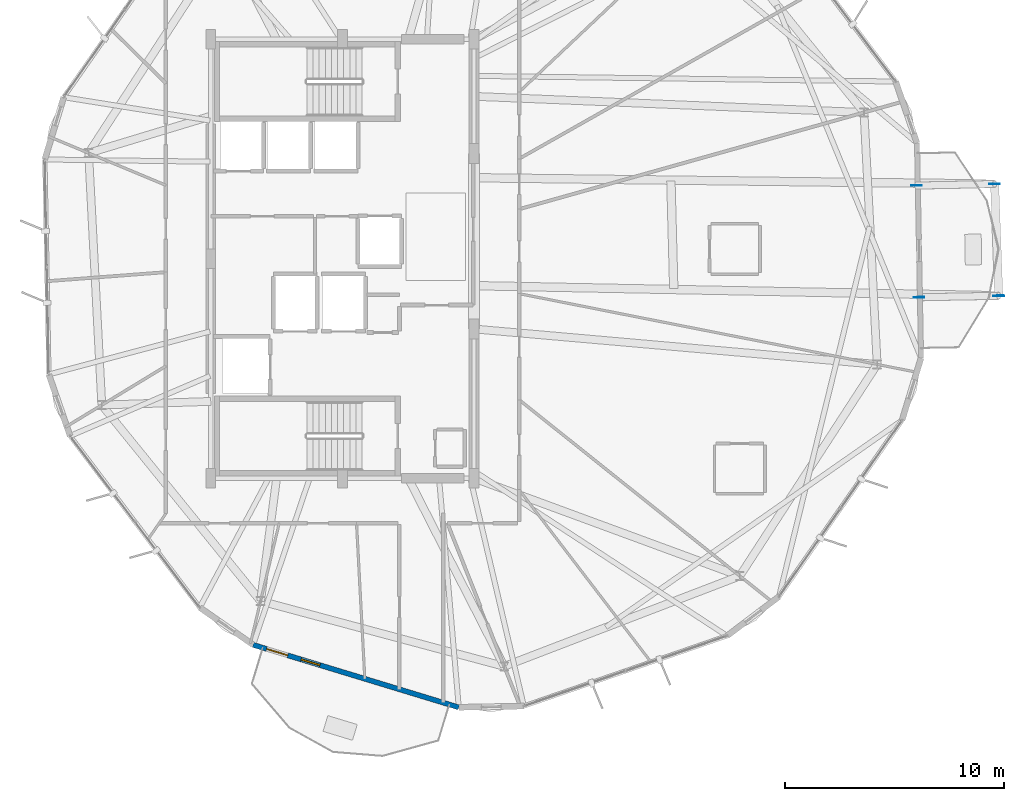
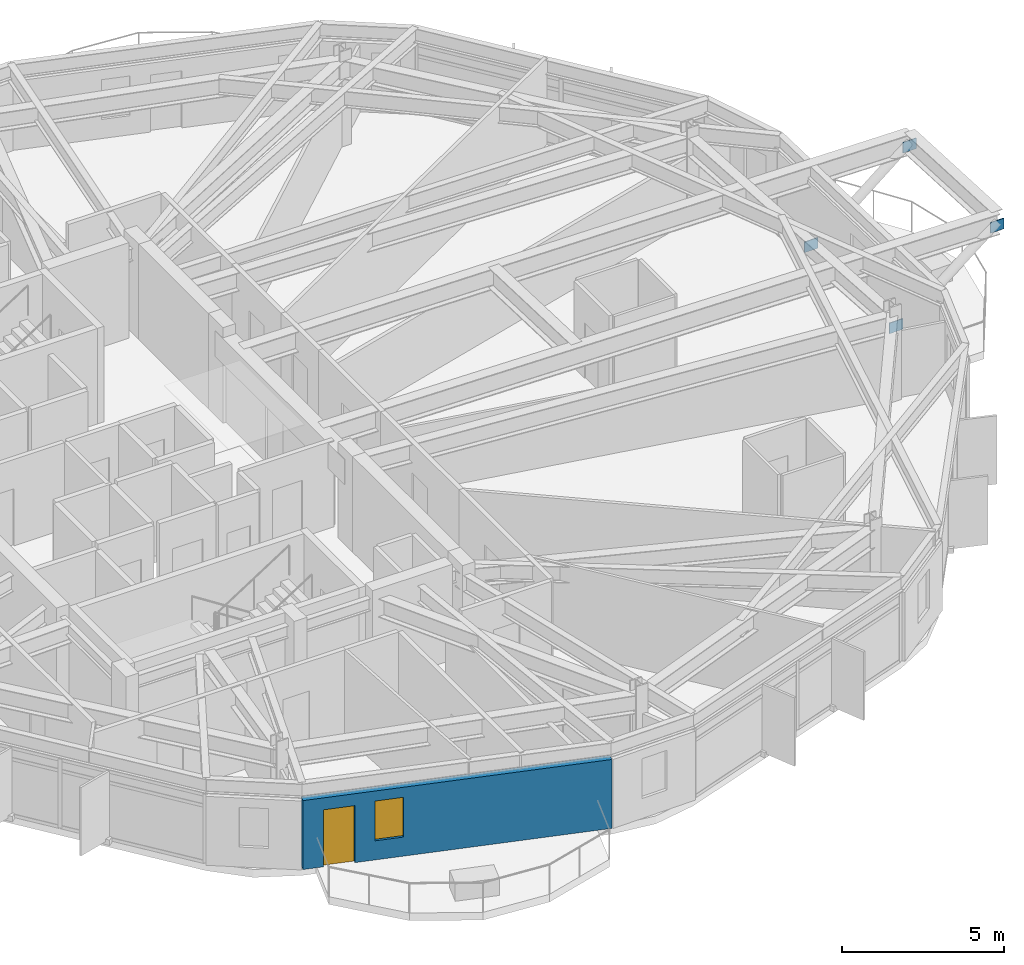
# One storey, part 27 of 34: 4 plates, 1 door, 1 wall, 1 window, 2 openings.
"""IFC4 building model written with IfcOpenShell, lengths in metres."""

from ifc_helpers import new_model, si_unit, direction, frame, frame_2d, origin, origin_2d, place, context, subcontext, project, spatial, rectangle, extrude, material, layer, layer_set, type_object, element, fill, save


model = new_model("IFC4")

# Units and contexts
model_context = context("Model", 3, precision=1e-05, world=origin(), true_north=direction((0.0, 1.0)))
body_context = subcontext(model_context, "Body", "Model", "MODEL_VIEW")
ifc_project = project(units=[si_unit("LENGTHUNIT", "METRE"), si_unit("AREAUNIT", "SQUARE_METRE"), si_unit("VOLUMEUNIT", "CUBIC_METRE"), si_unit("PLANEANGLEUNIT", "RADIAN"), si_unit("MASSUNIT", "GRAM", prefix="KILO")], contexts=[model_context])

# Site, building, storey
site_placement = place(None, origin())
site = spatial("IfcSite", under=ifc_project, at=site_placement, CompositionType="ELEMENT")
building_placement = place(site_placement, origin())
building = spatial("IfcBuilding", under=site, at=building_placement, Name="Soratama Intermodal Tower", CompositionType="ELEMENT")
storey_placement = place(building_placement, frame((0.0, 0.0, 233.800048828125)))
storey = spatial("IfcBuildingStorey", under=building, at=storey_placement, Name="L59", CompositionType="ELEMENT", Elevation=233.800048828125)

# Plates
ifc_material_1 = material(Name="Structural steel ASTM A992 Grade 50", Category="steel")
ifc_layer_1 = layer(ifc_material_1, 0.030029296875)
ifc_layer_set_1 = layer_set([ifc_layer_1], Name="Structural steel ASTM A992 Grade 50")
plate_type = type_object("IfcPlateType", Name="PL-GUSSET-30", PredefinedType="USERDEFINED", material=ifc_layer_set_1)
for number, where, z_axis, x_axis, name in (
    (1, (64.86376953125, 23.243408203125, 0.0), (0.0, 0.0, 1.0), (0.999819047479, 0.019022941347, 0.0), "L59 Sky Pool Strut Foot Gusset 1"),
    (2, (68.504638671875, 23.312744140625, 2.470458984375), (0.0, 0.0, 1.0), (0.999819047479, 0.019022941347, 0.0), "L59 Sky Pool Strut Head Gusset 1"),
    (3, (64.767578125, 28.336181640625, 0.0), (0.0, 0.0, 1.0), (0.999819047479, 0.019022941347, 0.0), "L59 Sky Pool Strut Foot Gusset 2"),
    (4, (68.318115234375, 28.404052734375, 2.470458984375), (0.0, 0.0, 1.0), (0.999819047479, 0.019022941347, 0.0), "L59 Sky Pool Strut Head Gusset 2"),
):
    element("IfcPlate", number, at=place(storey_placement, frame(where, z_axis=z_axis, x_axis=x_axis)), inside=storey, type_object=plate_type, Name=name, ObjectType="GUSSET PLATE", PredefinedType="USERDEFINED", context=body_context, shape_type="SweptSolid", body=[
        extrude(rectangle(XDim=0.47998046875, YDim=0.030029296875, at=origin_2d()), origin(), (0.0, 0.0, 1.0), 0.39990234375),
    ])

# Wall, openings, door, window
ifc_material_2 = material(Name="Concrete f'c 42 MPa", Category="concrete")
ifc_layer_2 = layer(ifc_material_2, 0.22998046875)
ifc_layer_set_2 = layer_set([ifc_layer_2], Name="Concrete f'c 42 MPa")
wall_type = type_object("IfcWallType", Name="EW-BAL-230", PredefinedType="SOLIDWALL", material=ifc_layer_set_2)
wall_placement = place(storey_placement, frame((34.5283203125, 7.4091796875, 0.0), z_axis=(0.0, 0.0, 1.0), x_axis=(0.956709483024, -0.29104461014, 0.0)))
wall = element("IfcWall", 5, at=wall_placement, inside=storey, type_object=wall_type, Name="L59 Terrace Wall F06", PredefinedType="SOLIDWALL", context=body_context, shape_type="SweptSolid", body=[
    extrude(rectangle(XDim=9.797607421875, YDim=0.22998046875, at=frame_2d((4.89892578125, 0.0))), origin(), (0.0, 0.0, 1.0), 2.598876953125),
])
opening_1_placement = place(wall_placement, frame((0.64990234375, 0.0, 0.0)))
opening_1 = element("IfcOpeningElement", 6, at=opening_1_placement, cuts=wall, Name="Opening ED-2", PredefinedType="OPENING", context=body_context, shape_type="SweptSolid", body=[
    extrude(rectangle(XDim=1.0, YDim=2.14990234375, at=frame_2d((0.5, 1.074951171875))), frame((0.0, 0.125, 0.0), z_axis=(0.0, -1.0, 0.0), x_axis=(1.0, 0.0, 0.0)), (0.0, 0.0, 1.0), 0.25),
])
opening_2_placement = place(wall_placement, frame((2.2900390625, 0.0, 0.719970703125)))
opening_2 = element("IfcOpeningElement", 7, at=opening_2_placement, cuts=wall, Name="Opening WN-6", PredefinedType="OPENING", context=body_context, shape_type="SweptSolid", body=[
    extrude(rectangle(XDim=0.89990234375, YDim=1.5, at=frame_2d((0.449951171875, 0.75))), frame((0.0, 0.125, 0.0), z_axis=(0.0, -1.0, 0.0), x_axis=(1.0, 0.0, 0.0)), (0.0, 0.0, 1.0), 0.25),
])
ifc_material_3 = material(Name="Double-glazed aluminium door", Category="aluminium")
door_type = type_object("IfcDoorType", Name="DR-BAL-1000", OperationType="NOTDEFINED", PredefinedType="DOOR", material=ifc_material_3)
door_placement = place(opening_1_placement, origin())
door = element("IfcDoor", 8, at=door_placement, inside=storey, type_object=door_type, Name="L59 Balcony Door F06", OperationType="SINGLE_SWING_RIGHT", OverallHeight=2.14990234375, OverallWidth=1.0, PredefinedType="DOOR", context=body_context, shape_type="SweptSolid", body=[
    extrude(rectangle(XDim=1.0, YDim=2.14990234375, at=frame_2d((0.5, 1.074951171875))), frame((0.0, 0.02490234375, 0.0), z_axis=(0.0, -1.0, 0.0), x_axis=(1.0, 0.0, 0.0)), (0.0, 0.0, 1.0), 0.050048828125),
])
fill(opening_1, door)
ifc_material_4 = material(Name="Double-glazed aluminium window", Category="aluminium")
window_type = type_object("IfcWindowType", Name="WN-FAC-900", PartitioningType="SINGLE_PANEL", PredefinedType="WINDOW", material=ifc_material_4)
window_placement = place(opening_2_placement, origin())
window = element("IfcWindow", 9, at=window_placement, inside=storey, type_object=window_type, Name="L59 Window B F06", OverallHeight=1.5, OverallWidth=0.89990234375, PartitioningType="SINGLE_PANEL", PredefinedType="WINDOW", context=body_context, shape_type="SweptSolid", body=[
    extrude(rectangle(XDim=0.89990234375, YDim=1.5, at=frame_2d((0.449951171875, 0.75))), frame((0.0, 0.030029296875, 0.0), z_axis=(0.0, -1.0, 0.0), x_axis=(1.0, 0.0, 0.0)), (0.0, 0.0, 1.0), 0.06005859375),
])
fill(opening_2, window)

save(model, "model.ifc")
